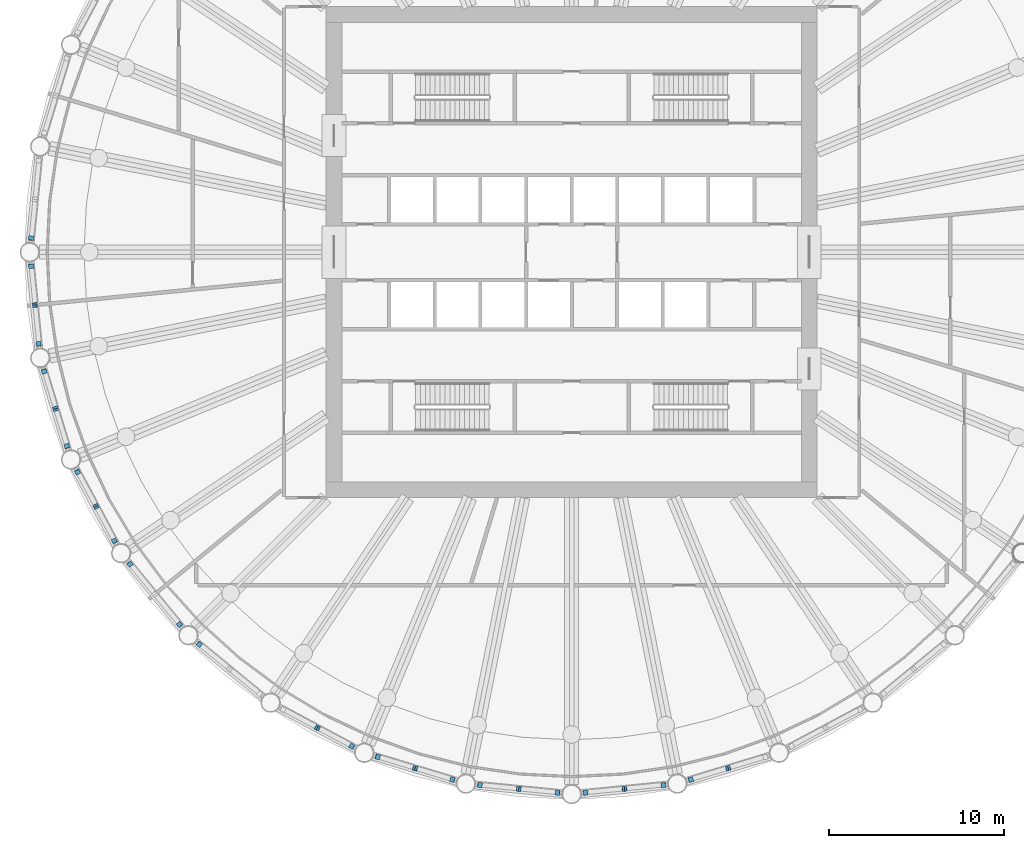
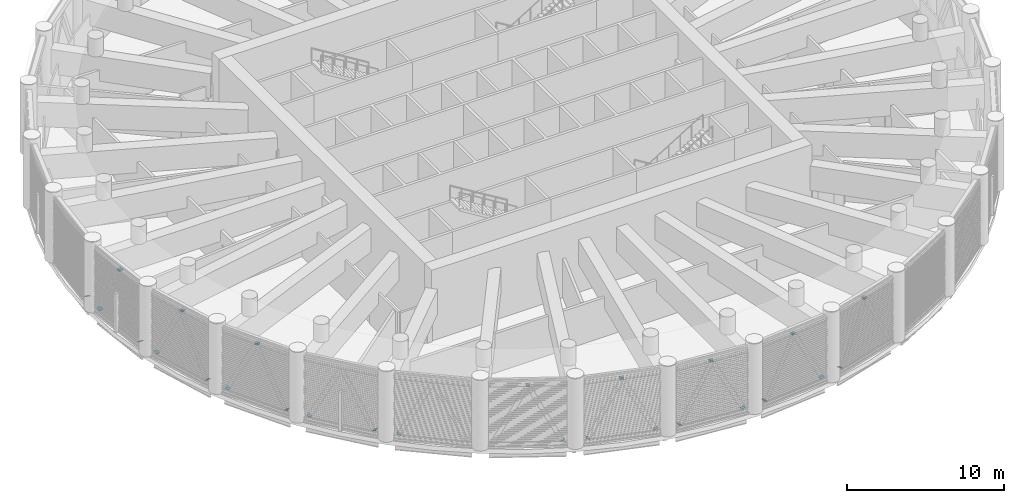
# One storey, part 12 of 23: 34 discrete accessories.
"""IFC4 building model written with IfcOpenShell, lengths in metres."""

from ifc_helpers import new_model, si_unit, direction, frame, origin, origin_2d, place, context, subcontext, project, spatial, rectangle, extrude, material, material_profile, profile_set, type_object, element, save


model = new_model("IFC4")

# Units and contexts
model_context = context("Model", 3, precision=1e-05, world=origin(), true_north=direction((0.0, 1.0)))
body_context = subcontext(model_context, "Body", "Model", "MODEL_VIEW")
ifc_project = project(units=[si_unit("LENGTHUNIT", "METRE"), si_unit("AREAUNIT", "SQUARE_METRE"), si_unit("VOLUMEUNIT", "CUBIC_METRE"), si_unit("PLANEANGLEUNIT", "RADIAN"), si_unit("MASSUNIT", "GRAM", prefix="KILO")], contexts=[model_context])

# Site, building, storey
site_placement = place(None, origin())
site = spatial("IfcSite", under=ifc_project, at=site_placement, CompositionType="ELEMENT")
building_placement = place(site_placement, origin())
building = spatial("IfcBuilding", under=site, at=building_placement, Name="Corvane Civic Tower", CompositionType="ELEMENT")
storey_placement = place(building_placement, frame((0.0, 0.0, 196.0)))
storey = spatial("IfcBuildingStorey", under=building, at=storey_placement, Name="L46", CompositionType="ELEMENT", Elevation=196.0)

# Discrete accessories
ifc_material = material(Name="Steel ASTM A572 Gr 50", Category="steel")
ifc_material_profile = material_profile(ifc_material, rectangle(XDim=0.2802734375, YDim=0.2802734375, at=origin_2d()), Name="GUSSET PLATE 25 IN HSS12X12X1/2")
ifc_profile_set = profile_set([ifc_material_profile], Name="Steel ASTM A572 Gr 50")
discrete_accessory_type = type_object("IfcDiscreteAccessoryType", Name="GUSSET PLATE 25 IN HSS12X12X1/2", PredefinedType="BRACKET", material=ifc_profile_set)
for number, where, z_axis, x_axis, name in (
    (1, (8.9267578125, -29.427001953125, 4.74365234375), (0.431186090161, 0.137195574142, -0.891771231924), (-0.303203657277, 0.952925780013, 0.0), "Gusset plate BD1 end B"),
    (2, (6.7939453125, -30.073974609375, 0.406494140625), (0.439113214512, 0.13661300007, 0.887984500457), (-0.297066552636, 0.954856776331, 0.0), "Gusset plate BD1 end A"),
    (3, (8.9267578125, -29.427001953125, 4.74365234375), (-0.439113214512, -0.13661300007, -0.887984500457), (0.297066552636, -0.954856776331, 0.0), "Gusset plate BD1 end B"),
):
    element("IfcDiscreteAccessory", number, at=place(storey_placement, frame(where, z_axis=z_axis, x_axis=x_axis)), inside=storey, type_object=discrete_accessory_type, Name=name, PredefinedType="BRACKET", context=body_context, shape_type="SweptSolid", body=[
        extrude(rectangle(XDim=0.2802734375, YDim=0.2802734375, at=origin_2d()), origin(), (0.0, 0.0, 1.0), 0.02490234375),
    ])
for number, where, z_axis, x_axis, name in (
    (4, (5.232177734375, -30.384521484375, 0.406494140625), (-0.458345761298, -0.048760187372, 0.887435410172), (0.105786054594, -0.994388913179, 0.0), "Gusset plate BD1 end A"),
    (5, (3.01416015625, -30.60302734375, 4.74365234375), (0.458345761298, 0.048760187372, -0.887435410172), (-0.105786054594, 0.994388913179, 0.0), "Gusset plate BD1 end B"),
    (6, (0.796142578125, -30.821533203125, 0.406494140625), (0.458345761298, 0.048760187372, 0.887435410172), (-0.105786054594, 0.994388913179, 0.0), "Gusset plate BD1 end A"),
    (7, (3.01416015625, -30.60302734375, 4.74365234375), (-0.458345761298, -0.048760187372, -0.887435410172), (0.105786054594, -0.994388913179, 0.0), "Gusset plate BD1 end B"),
    (8, (-0.796142578125, -30.821533203125, 0.406494140625), (-0.458345761298, 0.048760187372, 0.887435410172), (-0.105786054594, -0.994388913179, 0.0), "Gusset plate BD1 end A"),
    (9, (-3.01416015625, -30.60302734375, 4.74365234375), (0.458345761298, -0.048760187372, -0.887435410172), (0.105786054594, 0.994388913179, 0.0), "Gusset plate BD1 end B"),
    (10, (-5.232177734375, -30.384521484375, 0.406494140625), (0.458345761298, -0.048760187372, 0.887435410172), (0.105786054594, 0.994388913179, 0.0), "Gusset plate BD1 end A"),
    (11, (-3.01416015625, -30.60302734375, 4.74365234375), (-0.458345761298, 0.048760187372, -0.887435410172), (-0.105786054594, -0.994388913179, 0.0), "Gusset plate BD1 end B"),
):
    element("IfcDiscreteAccessory", number, at=place(storey_placement, frame(where, z_axis=z_axis, x_axis=x_axis)), inside=storey, type_object=discrete_accessory_type, Name=name, PredefinedType="BRACKET", context=body_context, shape_type="SweptSolid", body=[
        extrude(rectangle(XDim=0.2802734375, YDim=0.2802734375, at=origin_2d()), origin(), (0.0, 0.0, 1.0), 0.025146484375),
    ])
for number, where, z_axis, x_axis, name in (
    (12, (-6.7939453125, -30.073974609375, 0.406494140625), (-0.439113214512, 0.13661300007, 0.887984500457), (-0.297066552636, -0.954856776331, 0.0), "Gusset plate BD1 end A"),
    (13, (-8.9267578125, -29.427001953125, 4.74365234375), (0.439113214512, -0.13661300007, -0.887984500457), (0.297066552636, 0.954856776331, 0.0), "Gusset plate BD1 end B"),
    (14, (-11.059326171875, -28.780029296875, 0.406494140625), (0.431186090161, -0.137195574142, 0.891771231924), (0.303203657277, 0.952925780013, 0.0), "Gusset plate BD1 end A"),
    (15, (-8.9267578125, -29.427001953125, 4.74365234375), (-0.431186090161, 0.137195574142, -0.891771231924), (-0.303203657277, -0.952925780013, 0.0), "Gusset plate BD1 end B"),
    (16, (-12.530517578125, -28.170654296875, 0.406494140625), (-0.401151893027, 0.215252235283, 0.890361518669), (-0.472817704815, -0.881160268064, 0.0), "Gusset plate BD1 end A"),
    (17, (-14.49609375, -27.1201171875, 4.74365234375), (0.401151893027, -0.215252235283, -0.890361518669), (0.472817704815, 0.881160268064, 0.0), "Gusset plate BD1 end B"),
    (18, (-14.49609375, -27.1201171875, 4.74365234375), (-0.401151893027, 0.215252235283, -0.890361518669), (-0.472817704815, -0.881160268064, 0.0), "Gusset plate BD1 end B"),
    (19, (-21.231201171875, -22.357177734375, 0.406494140625), (0.351709443019, -0.293091202516, 0.889043314299), (0.640184399664, 0.768221279597, 0.0), "Gusset plate BD1 end A"),
    (20, (-22.357177734375, -21.231201171875, 0.406494140625), (-0.293091202516, 0.351709443019, 0.889043314299), (-0.768221279597, -0.640184399664, 0.0), "Gusset plate BD1 end A"),
    (21, (-25.184814453125, -17.78564453125, 0.406494140625), (0.293091202516, -0.351709443019, 0.889043314299), (0.768221279597, 0.640184399664, 0.0), "Gusset plate BD1 end A"),
    (22, (-26.069580078125, -16.461669921875, 0.406494140625), (-0.215252235283, 0.401151893027, 0.890361518669), (-0.881160268064, -0.472817704815, 0.0), "Gusset plate BD1 end A"),
    (23, (-27.1201171875, -14.49609375, 4.74365234375), (0.215252235283, -0.401151893027, -0.890361518669), (0.881160268064, 0.472817704815, 0.0), "Gusset plate BD1 end B"),
    (24, (-28.170654296875, -12.530517578125, 0.406494140625), (0.215252235283, -0.401151893027, 0.890361518669), (0.881160268064, 0.472817704815, 0.0), "Gusset plate BD1 end A"),
    (25, (-27.1201171875, -14.49609375, 4.74365234375), (-0.215252235283, 0.401151893027, -0.890361518669), (-0.881160268064, -0.472817704815, 0.0), "Gusset plate BD1 end B"),
    (26, (-28.780029296875, -11.059326171875, 0.406494140625), (-0.137195574142, 0.431186090161, 0.891771231924), (-0.952925780013, -0.303203657277, 0.0), "Gusset plate BD1 end A"),
    (27, (-29.427001953125, -8.9267578125, 4.74365234375), (0.137195574142, -0.431186090161, -0.891771231924), (0.952925780013, 0.303203657277, 0.0), "Gusset plate BD1 end B"),
    (28, (-30.073974609375, -6.7939453125, 0.406494140625), (0.13661300007, -0.439113214512, 0.887984500457), (0.954856776331, 0.297066552636, 0.0), "Gusset plate BD1 end A"),
    (29, (-29.427001953125, -8.9267578125, 4.74365234375), (-0.13661300007, 0.439113214512, -0.887984500457), (-0.954856776331, -0.297066552636, 0.0), "Gusset plate BD1 end B"),
):
    element("IfcDiscreteAccessory", number, at=place(storey_placement, frame(where, z_axis=z_axis, x_axis=x_axis)), inside=storey, type_object=discrete_accessory_type, Name=name, PredefinedType="BRACKET", context=body_context, shape_type="SweptSolid", body=[
        extrude(rectangle(XDim=0.2802734375, YDim=0.2802734375, at=origin_2d()), origin(), (0.0, 0.0, 1.0), 0.02490234375),
    ])
for number, where, z_axis, x_axis, name in (
    (30, (-30.384521484375, -5.232177734375, 0.406494140625), (-0.048760187372, 0.458345761298, 0.887435410172), (-0.994388913179, -0.105786054594, 0.0), "Gusset plate BD1 end A"),
    (31, (-30.60302734375, -3.01416015625, 4.74365234375), (0.048760187372, -0.458345761298, -0.887435410172), (0.994388913179, 0.105786054594, 0.0), "Gusset plate BD1 end B"),
    (32, (-30.821533203125, -0.796142578125, 0.406494140625), (0.048760187372, -0.458345761298, 0.887435410172), (0.994388913179, 0.105786054594, 0.0), "Gusset plate BD1 end A"),
    (33, (-30.60302734375, -3.01416015625, 4.74365234375), (-0.048760187372, 0.458345761298, -0.887435410172), (-0.994388913179, -0.105786054594, 0.0), "Gusset plate BD1 end B"),
    (34, (-30.821533203125, 0.796142578125, 0.406494140625), (0.048760187372, 0.458345761298, 0.887435410172), (-0.994388913179, 0.105786054594, 0.0), "Gusset plate BD1 end A"),
):
    element("IfcDiscreteAccessory", number, at=place(storey_placement, frame(where, z_axis=z_axis, x_axis=x_axis)), inside=storey, type_object=discrete_accessory_type, Name=name, PredefinedType="BRACKET", context=body_context, shape_type="SweptSolid", body=[
        extrude(rectangle(XDim=0.2802734375, YDim=0.2802734375, at=origin_2d()), origin(), (0.0, 0.0, 1.0), 0.025146484375),
    ])

save(model, "model.ifc")
